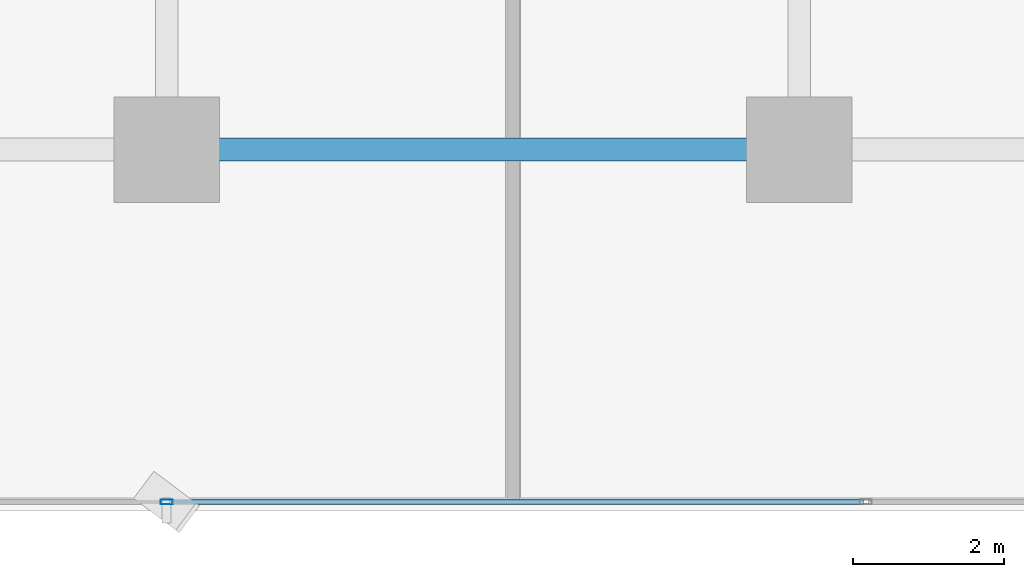
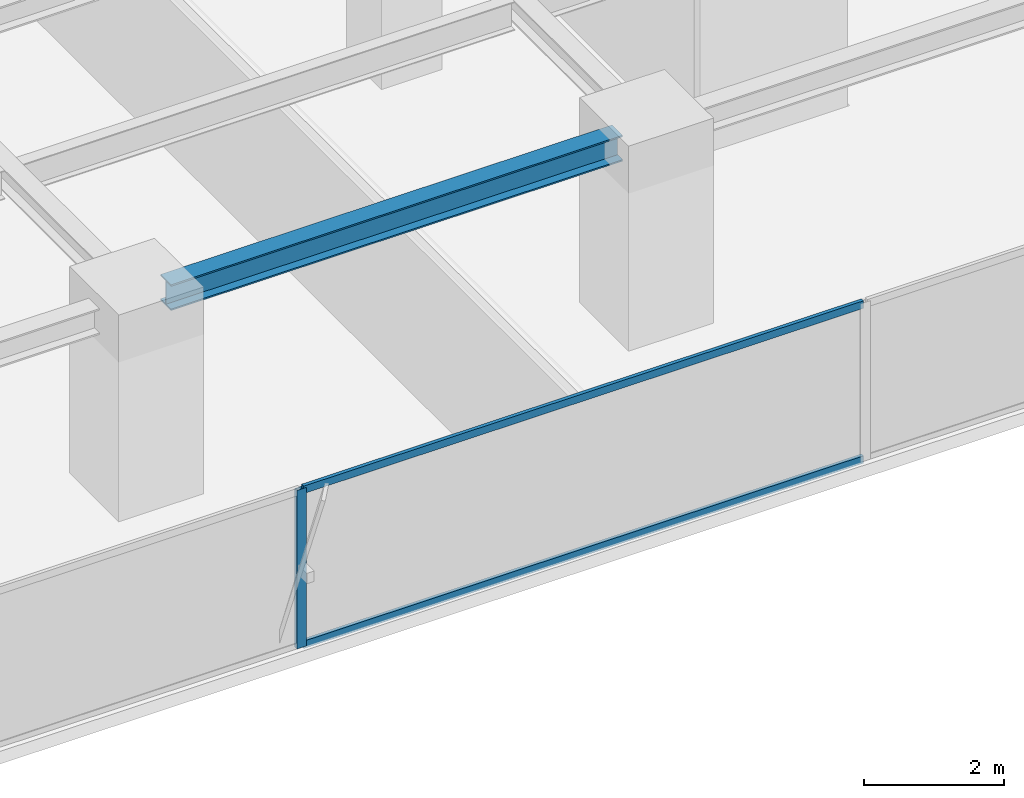
# One storey, part 5 of 27: 3 members, 1 beam, 1 element without a shape of its own.
"""IFC4 building model written with IfcOpenShell, lengths in metres."""

from ifc_helpers import new_model, si_unit, direction, frame, origin, origin_2d, place, context, subcontext, project, spatial, hollow_rectangle, i_section, extrude, source, transform, mapped, material, layer, layer_set, material_profile, profile_set, type_object, element, aggregate, save


model = new_model("IFC4")

# Units and contexts
model_context = context("Model", 3, precision=1e-05, world=origin(), true_north=direction((0.0, 1.0)))
body_context = subcontext(model_context, "Body", "Model", "MODEL_VIEW")
ifc_project = project(units=[si_unit("LENGTHUNIT", "METRE"), si_unit("AREAUNIT", "SQUARE_METRE"), si_unit("VOLUMEUNIT", "CUBIC_METRE"), si_unit("PLANEANGLEUNIT", "RADIAN"), si_unit("MASSUNIT", "GRAM", prefix="KILO")], contexts=[model_context])

# Site, building, storey
site_placement = place(None, origin())
site = spatial("IfcSite", under=ifc_project, at=site_placement, CompositionType="ELEMENT")
building_placement = place(site_placement, origin())
building = spatial("IfcBuilding", under=site, at=building_placement, Name="Sumidabori Civic Tower", CompositionType="ELEMENT")
storey_placement = place(building_placement, frame((0.0, 0.0, 156.800048828125)))
storey = spatial("IfcBuildingStorey", under=building, at=storey_placement, Name="L40", CompositionType="ELEMENT", Elevation=156.800048828125)

# Beam
ifc_material_1 = material(Name="Steel SN490", Category="steel")
ifc_material_profile_1 = material_profile(ifc_material_1, i_section(OverallWidth=0.300048828125, OverallDepth=0.449951171875, WebThickness=0.013916015625, FlangeThickness=0.02587890625, at=origin_2d()), Name="HE 450 B")
ifc_profile_set_1 = profile_set([ifc_material_profile_1], Name="Steel SN490")
beam_type = type_object("IfcBeamType", Name="BM-GIRD-450", PredefinedType="BEAM", material=ifc_profile_set_1)
shared_shape_1 = source(origin(), body_context, "Body", "SweptSolid", [
    extrude(i_section(OverallWidth=0.300048828125, OverallDepth=0.449951171875, WebThickness=0.013916015625, FlangeThickness=0.02587890625, at=origin_2d()), origin(), (0.0, 0.0, 1.0), 7.43994140625),
])
beam_placement = place(storey_placement, frame((0.47998046875, -18.0, 3.155029296875), z_axis=(1.0, 0.0, 0.0), x_axis=(0.0, 1.0, 0.0)))
element("IfcBeam", 1, at=beam_placement, inside=storey, type_object=beam_type, Name="Primary Girder L40 GX-03", PredefinedType="BEAM", context=body_context, shape_type="MappedRepresentation", body=[
    mapped(shared_shape_1, transform((0.0, 0.0, 0.0), x_axis=(1.0, 0.0, 0.0), y_axis=(0.0, 1.0, 0.0), z_axis=(0.0, 0.0, 1.0), scale=1.0)),
])

# Curtain wall, members
ifc_material_2 = material(Name="Anodised Bronze Aluminium AW-6063-T6", Category="aluminium")
ifc_layer = layer(ifc_material_2, 0.179931640625, Name="Anodised Bronze Aluminium AW-6063-T6")
ifc_layer_set = layer_set([ifc_layer], Name="Anodised Bronze Aluminium AW-6063-T6")
curtain_wall_type = type_object("IfcCurtainWallType", Name="CW-SYS-3", PredefinedType="NOTDEFINED", material=ifc_layer_set)
curtain_wall_placement = place(storey_placement, origin())
curtain_wall = element("IfcCurtainWall", 2, at=curtain_wall_placement, inside=storey, type_object=curtain_wall_type, Name="Curtain Wall CW:L40:R01", PredefinedType="NOTDEFINED")
ifc_material_profile_2 = material_profile(ifc_material_2, hollow_rectangle(XDim=0.06494140625, YDim=0.159912109375, WallThickness=0.0048828125, at=origin_2d()), Name="ALU MULLION 160x65")
ifc_profile_set_2 = profile_set([ifc_material_profile_2], Name="Anodised Bronze Aluminium AW-6063-T6")
member_type_1 = type_object("IfcMemberType", Name="CW-MUL-160", PredefinedType="MULLION", material=ifc_profile_set_2)
shared_shape_2 = source(origin(), body_context, "Body", "SweptSolid", [
    extrude(hollow_rectangle(XDim=0.06494140625, YDim=0.159912109375, WallThickness=0.0048828125, at=origin_2d()), origin(), (0.0, 0.0, 1.0), 2.760009765625),
])
member_1_placement = place(storey_placement, frame((0.0, -22.679931640625, 0.0), z_axis=(0.0, 0.0, 1.0), x_axis=(0.0, 1.0, 0.0)))
member_1 = element("IfcMember", 3, at=member_1_placement, type_object=member_type_1, Name="CW-3 mullion 3", PredefinedType="MULLION", context=body_context, shape_type="MappedRepresentation", body=[
    mapped(shared_shape_2, transform((0.0, 0.0, 0.0), x_axis=(1.0, 0.0, 0.0), y_axis=(0.0, 1.0, 0.0), z_axis=(0.0, 0.0, 1.0), scale=1.0)),
])
ifc_material_profile_3 = material_profile(ifc_material_2, hollow_rectangle(XDim=0.06005859375, YDim=0.1298828125, WallThickness=0.0048828125, at=origin_2d()), Name="ALU TRANSOM 130x60")
ifc_profile_set_3 = profile_set([ifc_material_profile_3], Name="Anodised Bronze Aluminium AW-6063-T6")
member_type_2 = type_object("IfcMemberType", Name="CW-TRN-130", PredefinedType="USERDEFINED", material=ifc_profile_set_3)
shared_shape_3 = source(origin(), body_context, "Body", "SweptSolid", [
    extrude(hollow_rectangle(XDim=0.06005859375, YDim=0.1298828125, WallThickness=0.0048828125, at=origin_2d()), origin(), (0.0, 0.0, 1.0), 9.219970703125),
])
member_2_placement = place(storey_placement, frame((0.032470703125, -22.679931640625, 0.030029296875), z_axis=(1.0, 0.0, 0.0), x_axis=(0.0, 1.0, 0.0)))
member_2 = element("IfcMember", 4, at=member_2_placement, type_object=member_type_2, Name="CW-3 transom 3.1", ObjectType="TRANSOM", PredefinedType="USERDEFINED", context=body_context, shape_type="MappedRepresentation", body=[
    mapped(shared_shape_3, transform((0.0, 0.0, 0.0), x_axis=(1.0, 0.0, 0.0), y_axis=(0.0, 1.0, 0.0), z_axis=(0.0, 0.0, 1.0), scale=1.0)),
])
member_3_placement = place(storey_placement, frame((0.032470703125, -22.679931640625, 2.72998046875), z_axis=(1.0, 0.0, 0.0), x_axis=(0.0, 1.0, 0.0)))
member_3 = element("IfcMember", 5, at=member_3_placement, type_object=member_type_2, Name="CW-3 transom 3.2", ObjectType="TRANSOM", PredefinedType="USERDEFINED", context=body_context, shape_type="MappedRepresentation", body=[
    mapped(shared_shape_3, transform((0.0, 0.0, 0.0), x_axis=(1.0, 0.0, 0.0), y_axis=(0.0, 1.0, 0.0), z_axis=(0.0, 0.0, 1.0), scale=1.0)),
])
aggregate(curtain_wall, [member_1, member_2, member_3])

save(model, "model.ifc")
